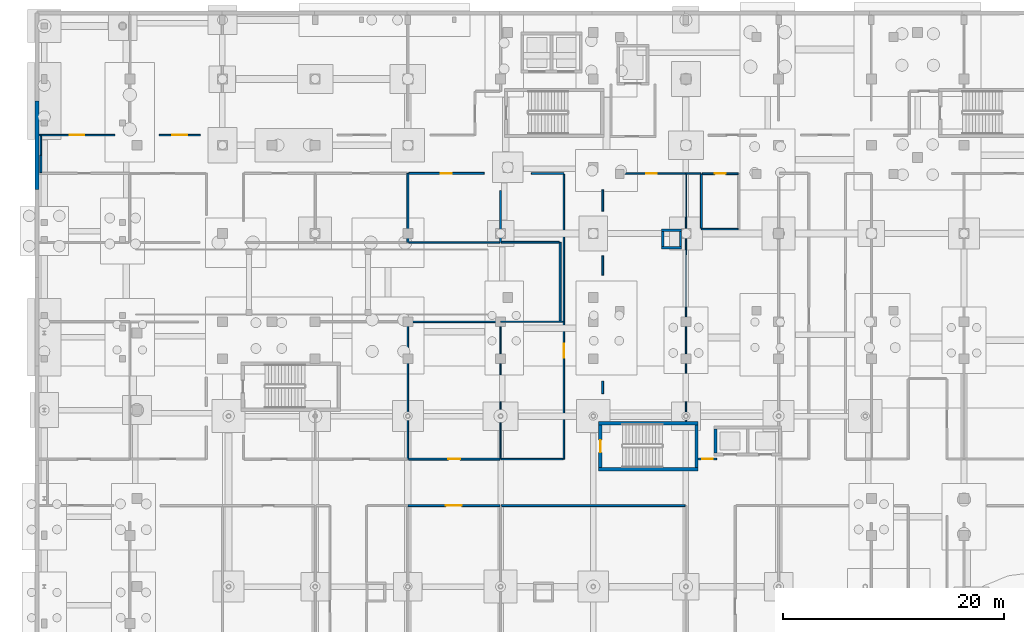
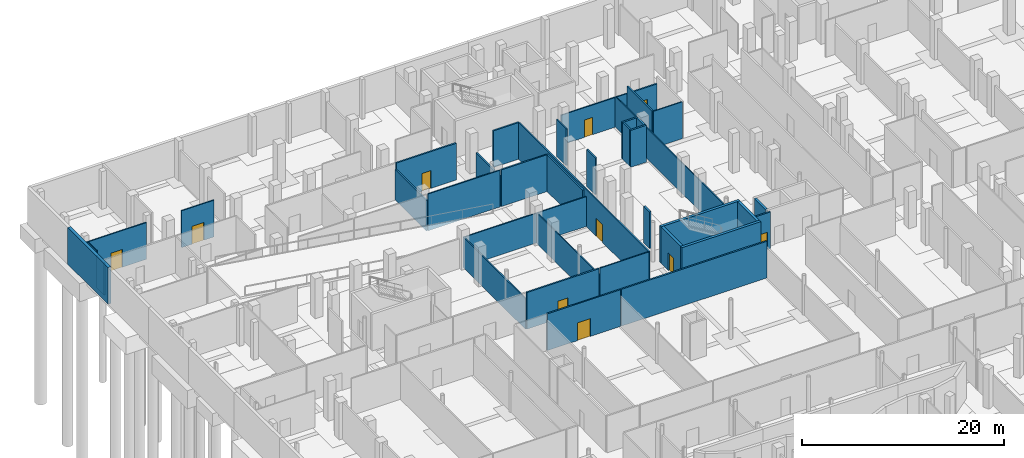
# One storey, part 31 of 45: 40 walls, 10 doors, 10 openings.
"""IFC4 building model written with IfcOpenShell, lengths in metres."""

from ifc_helpers import new_model, si_unit, direction, frame, frame_2d, origin, place, context, subcontext, project, spatial, rectangle, extrude, material, layer, layer_set, type_object, element, fill, save


model = new_model("IFC4")

# Units and contexts
model_context = context("Model", 3, precision=1e-05, world=origin(), true_north=direction((0.0, 1.0)))
body_context = subcontext(model_context, "Body", "Model", "MODEL_VIEW")
ifc_project = project(units=[si_unit("LENGTHUNIT", "METRE"), si_unit("AREAUNIT", "SQUARE_METRE"), si_unit("VOLUMEUNIT", "CUBIC_METRE"), si_unit("PLANEANGLEUNIT", "RADIAN"), si_unit("MASSUNIT", "GRAM", prefix="KILO")], contexts=[model_context])

# Site, building, storey
site_placement = place(None, origin())
site = spatial("IfcSite", under=ifc_project, at=site_placement, CompositionType="ELEMENT")
building_placement = place(site_placement, origin())
building = spatial("IfcBuilding", under=site, at=building_placement, Name="Selatvlak General Hospital", CompositionType="ELEMENT")
storey_placement = place(building_placement, frame((0.0, 0.0, -4.800048828125)))
storey = spatial("IfcBuildingStorey", under=building, at=storey_placement, Name="B1", CompositionType="ELEMENT", Elevation=-4.800048828125)

# Walls
ifc_material_1 = material(Name="Concrete C45/55", Category="concrete")
ifc_layer_1 = layer(ifc_material_1, 0.35009765625, Name="Concrete C45/55", Category="concrete")
ifc_layer_set_1 = layer_set([ifc_layer_1], Name="Concrete C45/55")
wall_type_1 = type_object("IfcWallType", Name="WALL-EW-05", PredefinedType="SHEAR", material=ifc_layer_set_1)
wall_1_placement = place(storey_placement, frame((6.0, 103.9990234375, 0.0), z_axis=(0.0, 0.0, 1.0), x_axis=(0.0, 1.0, 0.0)))
element("IfcWall", 1, at=wall_1_placement, inside=storey, type_object=wall_type_1, Name="B1 retaining wall 0007", PredefinedType="SHEAR", context=body_context, shape_type="SweptSolid", body=[
    extrude(rectangle(XDim=8.0, YDim=0.35009765625, at=frame_2d((4.0, 0.0))), origin(), (0.0, 0.0, 1.0), 4.449951171875),
])
ifc_material_2 = material(Name="Concrete C40/50", Category="concrete")
ifc_layer_2 = layer(ifc_material_2, 0.199951171875, Name="Concrete C40/50", Category="concrete")
ifc_layer_set_2 = layer_set([ifc_layer_2], Name="Concrete C40/50")
wall_type_2 = type_object("IfcWallType", Name="WALL-IW-02", PredefinedType="SOLIDWALL", material=ifc_layer_set_2)
wall_2_placement = place(storey_placement, frame((62.60009765625, 98.699951171875, 0.0), z_axis=(0.0, 0.0, 1.0), x_axis=(1.0, 0.0, 0.0)))
element("IfcWall", 2, at=wall_2_placement, inside=storey, type_object=wall_type_2, Name="Service riser 1 shaft wall B1 S", PredefinedType="SOLIDWALL", context=body_context, shape_type="SweptSolid", body=[
    extrude(rectangle(XDim=1.7998046875, YDim=0.199951171875, at=frame_2d((0.89990234375, 0.0))), origin(), (0.0, 0.0, 1.0), 4.449951171875),
])
wall_3_placement = place(storey_placement, frame((64.300048828125, 98.800048828125, 0.0), z_axis=(0.0, 0.0, 1.0), x_axis=(0.0, 1.0, 0.0)))
element("IfcWall", 3, at=wall_3_placement, inside=storey, type_object=wall_type_2, Name="Service riser 1 shaft wall B1 E", PredefinedType="SOLIDWALL", context=body_context, shape_type="SweptSolid", body=[
    extrude(rectangle(XDim=1.39990234375, YDim=0.199951171875, at=frame_2d((0.699951171875, 0.0))), origin(), (0.0, 0.0, 1.0), 4.449951171875),
])
wall_4_placement = place(storey_placement, frame((64.39990234375, 100.300048828125, 0.0), z_axis=(0.0, 0.0, 1.0), x_axis=(-1.0, 0.0, 0.0)))
element("IfcWall", 4, at=wall_4_placement, inside=storey, type_object=wall_type_2, Name="Service riser 1 shaft wall B1 N", PredefinedType="SOLIDWALL", context=body_context, shape_type="SweptSolid", body=[
    extrude(rectangle(XDim=1.7998046875, YDim=0.199951171875, at=frame_2d((0.89990234375, 0.0))), origin(), (0.0, 0.0, 1.0), 4.449951171875),
])
wall_5_placement = place(storey_placement, frame((62.699951171875, 100.199951171875, 0.0), z_axis=(0.0, 0.0, 1.0), x_axis=(0.0, -1.0, 0.0)))
element("IfcWall", 5, at=wall_5_placement, inside=storey, type_object=wall_type_2, Name="Service riser 1 shaft wall B1 W", PredefinedType="SOLIDWALL", context=body_context, shape_type="SweptSolid", body=[
    extrude(rectangle(XDim=1.39990234375, YDim=0.199951171875, at=frame_2d((0.699951171875, 0.0))), origin(), (0.0, 0.0, 1.0), 4.449951171875),
])
ifc_material_3 = material(Name="Acoustic gypsum stud partition")
ifc_layer_3 = layer(ifc_material_3, 0.179931640625, Name="Acoustic gypsum stud partition")
ifc_layer_set_3 = layer_set([ifc_layer_3], Name="Acoustic gypsum stud partition")
wall_type_3 = type_object("IfcWallType", Name="WALL-PT-01", PredefinedType="PARTITIONING", material=ifc_layer_set_3)
wall_6_placement = place(storey_placement, frame((66.199951171875, 100.464111328125, 0.0), z_axis=(0.0, 0.0, 1.0), x_axis=(0.0, 1.0, 0.0)))
element("IfcWall", 6, at=wall_6_placement, inside=storey, type_object=wall_type_3, Name="B1 clinical partition PT-B1-0003", PredefinedType="PARTITIONING", context=body_context, shape_type="SweptSolid", body=[
    extrude(rectangle(XDim=4.955810546875, YDim=0.179931640625, at=frame_2d((2.47802734375, 0.0))), origin(), (0.0, 0.0, 1.0), 4.449951171875),
])
wall_7_placement = place(storey_placement, frame((48.06298828125, 75.340087890625, 0.0), z_axis=(0.0, 0.0, 1.0), x_axis=(1.0, 0.0, 0.0)))
element("IfcWall", 7, at=wall_7_placement, inside=storey, type_object=wall_type_3, Name="B1 clinical partition PT-B1-0087", PredefinedType="PARTITIONING", context=body_context, shape_type="SweptSolid", body=[
    extrude(rectangle(XDim=16.657958984375, YDim=0.179931640625, at=frame_2d((8.3291015625, 0.0))), origin(), (0.0, 0.0, 1.0), 4.449951171875),
])
wall_8_placement = place(storey_placement, frame((6.340087890625, 107.10009765625, 0.0), z_axis=(0.0, 0.0, 1.0), x_axis=(0.0, -1.0, 0.0)))
element("IfcWall", 8, at=wall_8_placement, inside=storey, type_object=wall_type_3, Name="B1 clinical partition PT-B1-0222", PredefinedType="PARTITIONING", context=body_context, shape_type="SweptSolid", body=[
    extrude(rectangle(XDim=1.57421875, YDim=0.179931640625, at=frame_2d((0.787109375, 0.0))), origin(), (0.0, 0.0, 1.0), 3.905029296875),
])

# Wall, opening, door
wall_9_placement = place(storey_placement, frame((39.677978515625, 105.43994140625, 0.0), z_axis=(0.0, 0.0, 1.0), x_axis=(1.0, 0.0, 0.0)))
wall_9 = element("IfcWall", 9, at=wall_9_placement, inside=storey, type_object=wall_type_3, Name="B1 clinical partition PT-B1-0252", PredefinedType="PARTITIONING", context=body_context, shape_type="SweptSolid", body=[
    extrude(rectangle(XDim=6.8369140625, YDim=0.179931640625, at=frame_2d((3.41845703125, 0.0))), origin(), (0.0, 0.0, 1.0), 4.449951171875),
])
opening_1_placement = place(wall_9_placement, frame((2.9189453125, 0.0, 0.0)))
opening_1 = element("IfcOpeningElement", 10, at=opening_1_placement, cuts=wall_9, Name="Opening D-21", PredefinedType="OPENING", context=body_context, shape_type="SweptSolid", body=[
    extrude(rectangle(XDim=1.0, YDim=2.14990234375, at=frame_2d((0.5, 1.074951171875))), frame((0.0, 0.099853515625, 0.0), z_axis=(0.0, -1.0, 0.0), x_axis=(1.0, 0.0, 0.0)), (0.0, 0.0, 1.0), 0.199951171875),
])
ifc_material_4 = material(Name="Laboratory fire door")
door_type_1 = type_object("IfcDoorType", Name="DOOR-D-21", OperationType="NOTDEFINED", PredefinedType="DOOR", material=ifc_material_4)
door_1_placement = place(opening_1_placement, origin())
door_1 = element("IfcDoor", 11, at=door_1_placement, inside=storey, type_object=door_type_1, Name="B1 Medical Gas Manifold Plant 54 door", OperationType="SINGLE_SWING_RIGHT", OverallHeight=2.14990234375, OverallWidth=1.0, PredefinedType="DOOR", context=body_context, shape_type="SweptSolid", body=[
    extrude(rectangle(XDim=1.0, YDim=2.14990234375, at=frame_2d((0.5, 1.074951171875))), frame((0.0, 0.02490234375, 0.0), z_axis=(0.0, -1.0, 0.0), x_axis=(1.0, 0.0, 0.0)), (0.0, 0.0, 1.0), 0.050048828125),
])
fill(opening_1, door_1)

wall_10_placement = place(storey_placement, frame((47.944091796875, 79.56005859375, 0.0), z_axis=(0.0, 0.0, 1.0), x_axis=(-1.0, 0.0, 0.0)))
wall_10 = element("IfcWall", 12, at=wall_10_placement, inside=storey, type_object=wall_type_3, Name="B1 clinical partition PT-B1-0255", PredefinedType="PARTITIONING", context=body_context, shape_type="SweptSolid", body=[
    extrude(rectangle(XDim=8.281005859375, YDim=0.179931640625, at=frame_2d((4.140625, 0.0))), origin(), (0.0, 0.0, 1.0), 4.449951171875),
])
opening_2_placement = place(wall_10_placement, frame((3.591064453125, 0.0, 0.0)))
opening_2 = element("IfcOpeningElement", 13, at=opening_2_placement, cuts=wall_10, Name="Opening D-22", PredefinedType="OPENING", context=body_context, shape_type="SweptSolid", body=[
    extrude(rectangle(XDim=1.10009765625, YDim=2.14990234375, at=frame_2d((0.550048828125, 1.074951171875))), frame((0.0, 0.099853515625, 0.0), z_axis=(0.0, -1.0, 0.0), x_axis=(1.0, 0.0, 0.0)), (0.0, 0.0, 1.0), 0.199951171875),
])
ifc_material_5 = material(Name="Pharmacy security fire door")
door_type_2 = type_object("IfcDoorType", Name="DOOR-D-22", OperationType="NOTDEFINED", PredefinedType="DOOR", material=ifc_material_5)
door_2_placement = place(opening_2_placement, origin())
door_2 = element("IfcDoor", 14, at=door_2_placement, inside=storey, type_object=door_type_2, Name="B1 Mortuary Cold Suite 55 door", OperationType="SINGLE_SWING_LEFT", OverallHeight=2.14990234375, OverallWidth=1.10009765625, PredefinedType="DOOR", context=body_context, shape_type="SweptSolid", body=[
    extrude(rectangle(XDim=1.10009765625, YDim=2.14990234375, at=frame_2d((0.550048828125, 1.074951171875))), frame((0.0, 0.02490234375, 0.0), z_axis=(0.0, -1.0, 0.0), x_axis=(1.0, 0.0, 0.0)), (0.0, 0.0, 1.0), 0.050048828125),
])
fill(opening_2, door_2)

# Walls
wall_11_placement = place(storey_placement, frame((57.260009765625, 85.485107421875, 0.0), z_axis=(0.0, 0.0, 1.0), x_axis=(0.0, 1.0, 0.0)))
element("IfcWall", 15, at=wall_11_placement, inside=storey, type_object=wall_type_3, Name="B1 clinical partition PT-B1-0260", PredefinedType="PARTITIONING", context=body_context, shape_type="SweptSolid", body=[
    extrude(rectangle(XDim=1.1298828125, YDim=0.179931640625, at=frame_2d((0.56494140625, 0.0))), origin(), (0.0, 0.0, 1.0), 4.449951171875),
])
wall_12_placement = place(storey_placement, frame((53.39990234375, 92.055908203125, 0.0), z_axis=(0.0, 0.0, 1.0), x_axis=(0.0, 1.0, 0.0)))
element("IfcWall", 16, at=wall_12_placement, inside=storey, type_object=wall_type_3, Name="B1 clinical partition PT-B1-0265", PredefinedType="PARTITIONING", context=body_context, shape_type="SweptSolid", body=[
    extrude(rectangle(XDim=7.14404296875, YDim=0.179931640625, at=frame_2d((3.572021484375, 0.0))), origin(), (0.0, 0.0, 1.0), 4.449951171875),
])

# Wall, opening, door
ifc_layer_4 = layer(ifc_material_3, 0.1650390625, Name="Acoustic gypsum stud partition")
ifc_layer_set_4 = layer_set([ifc_layer_4], Name="Acoustic gypsum stud partition")
wall_type_4 = type_object("IfcWallType", Name="WALL-PT-02", PredefinedType="PARTITIONING", material=ifc_layer_set_4)
wall_13_placement = place(storey_placement, frame((66.285888671875, 105.419921875, 0.0), z_axis=(0.0, 0.0, 1.0), x_axis=(1.0, 0.0, 0.0)))
wall_13 = element("IfcWall", 17, at=wall_13_placement, inside=storey, type_object=wall_type_4, Name="B1 clinical partition PT-B1-0004", PredefinedType="PARTITIONING", context=body_context, shape_type="SweptSolid", body=[
    extrude(rectangle(XDim=3.235107421875, YDim=0.1650390625, at=frame_2d((1.61767578125, 0.0))), origin(), (0.0, 0.0, 1.0), 3.60009765625),
])
opening_3_placement = place(wall_13_placement, frame((1.116943359375, 0.0, 0.0)))
opening_3 = element("IfcOpeningElement", 18, at=opening_3_placement, cuts=wall_13, Name="Opening D-03", PredefinedType="OPENING", context=body_context, shape_type="SweptSolid", body=[
    extrude(rectangle(XDim=1.0, YDim=2.10009765625, at=frame_2d((0.5, 1.050048828125))), frame((0.0, 0.092529296875, 0.0), z_axis=(0.0, -1.0, 0.0), x_axis=(1.0, 0.0, 0.0)), (0.0, 0.0, 1.0), 0.18505859375),
])
ifc_material_6 = material(Name="Accessible WC door")
door_type_3 = type_object("IfcDoorType", Name="DOOR-D-03", OperationType="NOTDEFINED", PredefinedType="DOOR", material=ifc_material_6)
door_3_placement = place(opening_3_placement, origin())
door_3 = element("IfcDoor", 19, at=door_3_placement, inside=storey, type_object=door_type_3, Name="B1 Accessible WC door", OperationType="SINGLE_SWING_RIGHT", OverallHeight=2.10009765625, OverallWidth=1.0, PredefinedType="DOOR", context=body_context, shape_type="SweptSolid", body=[
    extrude(rectangle(XDim=1.0, YDim=2.10009765625, at=frame_2d((0.5, 1.050048828125))), frame((0.0, 0.02490234375, 0.0), z_axis=(0.0, -1.0, 0.0), x_axis=(1.0, 0.0, 0.0)), (0.0, 0.0, 1.0), 0.050048828125),
])
fill(opening_3, door_3)

wall_14_placement = place(storey_placement, frame((39.60009765625, 75.340087890625, 0.0), z_axis=(0.0, 0.0, 1.0), x_axis=(1.0, 0.0, 0.0)))
wall_14 = element("IfcWall", 20, at=wall_14_placement, inside=storey, type_object=wall_type_4, Name="B1 clinical partition PT-B1-0070", PredefinedType="PARTITIONING", context=body_context, shape_type="SweptSolid", body=[
    extrude(rectangle(XDim=8.3369140625, YDim=0.1650390625, at=frame_2d((4.16845703125, 0.0))), origin(), (0.0, 0.0, 1.0), 4.449951171875),
])
opening_4_placement = place(wall_14_placement, frame((3.443115234375, 0.0, 0.0)))
opening_4 = element("IfcOpeningElement", 21, at=opening_4_placement, cuts=wall_14, Name="Opening D-12", PredefinedType="OPENING", context=body_context, shape_type="SweptSolid", body=[
    extrude(rectangle(XDim=1.449951171875, YDim=2.14990234375, at=frame_2d((0.72509765625, 1.074951171875))), frame((0.0, 0.092529296875, 0.0), z_axis=(0.0, -1.0, 0.0), x_axis=(1.0, 0.0, 0.0)), (0.0, 0.0, 1.0), 0.18505859375),
])
ifc_material_7 = material(Name="Isolation anteroom door")
door_type_4 = type_object("IfcDoorType", Name="DOOR-D-12", OperationType="NOTDEFINED", PredefinedType="DOOR", material=ifc_material_7)
door_4_placement = place(opening_4_placement, origin())
door_4 = element("IfcDoor", 22, at=door_4_placement, inside=storey, type_object=door_type_4, Name="B1 Bulk Pharmacy Store 11 door", OperationType="SINGLE_SWING_LEFT", OverallHeight=2.14990234375, OverallWidth=1.449951171875, PredefinedType="DOOR", context=body_context, shape_type="SweptSolid", body=[
    extrude(rectangle(XDim=1.449951171875, YDim=2.14990234375, at=frame_2d((0.72509765625, 1.074951171875))), frame((0.0, 0.02490234375, 0.0), z_axis=(0.0, -1.0, 0.0), x_axis=(1.0, 0.0, 0.0)), (0.0, 0.0, 1.0), 0.050048828125),
])
fill(opening_4, door_4)

# Walls
wall_15_placement = place(storey_placement, frame((39.60009765625, 105.43994140625, 0.0), z_axis=(0.0, 0.0, 1.0), x_axis=(0.0, -1.0, 0.0)))
element("IfcWall", 23, at=wall_15_placement, inside=storey, type_object=wall_type_4, Name="B1 clinical partition PT-B1-0244", PredefinedType="PARTITIONING", context=body_context, shape_type="SweptSolid", body=[
    extrude(rectangle(XDim=6.239990234375, YDim=0.1650390625, at=frame_2d((3.1201171875, 0.0))), origin(), (0.0, 0.0, 1.0), 3.699951171875),
])
wall_16_placement = place(storey_placement, frame((48.0, 103.887939453125, 0.0), z_axis=(0.0, 0.0, 1.0), x_axis=(0.0, -1.0, 0.0)))
element("IfcWall", 24, at=wall_16_placement, inside=storey, type_object=wall_type_4, Name="B1 clinical partition PT-B1-0250", PredefinedType="PARTITIONING", context=body_context, shape_type="SweptSolid", body=[
    extrude(rectangle(XDim=4.68798828125, YDim=0.1650390625, at=frame_2d((2.343994140625, 0.0))), origin(), (0.0, 0.0, 1.0), 3.699951171875),
])
wall_17_placement = place(storey_placement, frame((57.260009765625, 96.235107421875, 0.0), z_axis=(0.0, 0.0, 1.0), x_axis=(0.0, 1.0, 0.0)))
element("IfcWall", 25, at=wall_17_placement, inside=storey, type_object=wall_type_4, Name="B1 clinical partition PT-B1-0256", PredefinedType="PARTITIONING", context=body_context, shape_type="SweptSolid", body=[
    extrude(rectangle(XDim=1.72998046875, YDim=0.1650390625, at=frame_2d((0.864990234375, 0.0))), origin(), (0.0, 0.0, 1.0), 4.449951171875),
])
wall_18_placement = place(storey_placement, frame((50.784912109375, 105.43994140625, 0.0), z_axis=(0.0, 0.0, 1.0), x_axis=(1.0, 0.0, 0.0)))
element("IfcWall", 26, at=wall_18_placement, inside=storey, type_object=wall_type_4, Name="B1 clinical partition PT-B1-0261", PredefinedType="PARTITIONING", context=body_context, shape_type="SweptSolid", body=[
    extrude(rectangle(XDim=2.955078125, YDim=0.1650390625, at=frame_2d((1.4775390625, 0.0))), origin(), (0.0, 0.0, 1.0), 4.449951171875),
])
wall_19_placement = place(storey_placement, frame((53.31396484375, 99.199951171875, 0.0), z_axis=(0.0, 0.0, 1.0), x_axis=(-1.0, 0.0, 0.0)))
element("IfcWall", 27, at=wall_19_placement, inside=storey, type_object=wall_type_4, Name="B1 clinical partition PT-B1-0266", PredefinedType="PARTITIONING", context=body_context, shape_type="SweptSolid", body=[
    extrude(rectangle(XDim=5.236083984375, YDim=0.1650390625, at=frame_2d((2.6181640625, 0.0))), origin(), (0.0, 0.0, 1.0), 4.449951171875),
])

# Wall, opening, door
wall_20_placement = place(storey_placement, frame((67.590087890625, 79.56005859375, 0.0), z_axis=(0.0, 0.0, 1.0), x_axis=(-1.0, 0.0, 0.0)))
wall_20 = element("IfcWall", 28, at=wall_20_placement, inside=storey, type_object=wall_type_4, Name="B1 clinical partition PT-B1-0268", PredefinedType="PARTITIONING", context=body_context, shape_type="SweptSolid", body=[
    extrude(rectangle(XDim=1.68310546875, YDim=0.1650390625, at=frame_2d((0.841552734375, 0.0))), origin(), (0.0, 0.0, 1.0), 4.449951171875),
])
opening_5_placement = place(wall_20_placement, frame((0.366943359375, 0.0, 0.0)))
opening_5 = element("IfcOpeningElement", 29, at=opening_5_placement, cuts=wall_20, Name="Opening D-02", PredefinedType="OPENING", context=body_context, shape_type="SweptSolid", body=[
    extrude(rectangle(XDim=0.949951171875, YDim=2.10009765625, at=frame_2d((0.47509765625, 1.050048828125))), frame((0.0, 0.092529296875, 0.0), z_axis=(0.0, -1.0, 0.0), x_axis=(1.0, 0.0, 0.0)), (0.0, 0.0, 1.0), 0.18505859375),
])
ifc_material_8 = material(Name="Moisture-resistant en-suite door")
door_type_5 = type_object("IfcDoorType", Name="DOOR-D-02", OperationType="NOTDEFINED", PredefinedType="DOOR", material=ifc_material_8)
door_5_placement = place(opening_5_placement, origin())
door_5 = element("IfcDoor", 30, at=door_5_placement, inside=storey, type_object=door_type_5, Name="B1 Two-Way Underground Loop Car Park Aisle 58 door", OperationType="SINGLE_SWING_RIGHT", OverallHeight=2.10009765625, OverallWidth=0.949951171875, PredefinedType="DOOR", context=body_context, shape_type="SweptSolid", body=[
    extrude(rectangle(XDim=0.949951171875, YDim=2.10009765625, at=frame_2d((0.47509765625, 1.050048828125))), frame((0.0, 0.02490234375, 0.0), z_axis=(0.0, -1.0, 0.0), x_axis=(1.0, 0.0, 0.0)), (0.0, 0.0, 1.0), 0.050048828125),
])
fill(opening_5, door_5)

# Wall
ifc_layer_5 = layer(ifc_material_3, 0.14990234375, Name="Acoustic gypsum stud partition")
ifc_layer_set_5 = layer_set([ifc_layer_5], Name="Acoustic gypsum stud partition")
wall_type_5 = type_object("IfcWallType", Name="WALL-PT-03", PredefinedType="PARTITIONING", material=ifc_layer_set_5)
wall_21_placement = place(storey_placement, frame((57.260009765625, 102.034912109375, 0.0), z_axis=(0.0, 0.0, 1.0), x_axis=(0.0, 1.0, 0.0)))
element("IfcWall", 31, at=wall_21_placement, inside=storey, type_object=wall_type_5, Name="B1 clinical partition PT-B1-0257", PredefinedType="PARTITIONING", context=body_context, shape_type="SweptSolid", body=[
    extrude(rectangle(XDim=1.93017578125, YDim=0.14990234375, at=frame_2d((0.965087890625, 0.0))), origin(), (0.0, 0.0, 1.0), 4.449951171875),
])

# Wall, opening, door
wall_22_placement = place(storey_placement, frame((53.739990234375, 105.361083984375, 0.0), z_axis=(0.0, 0.0, 1.0), x_axis=(0.0, -1.0, 0.0)))
wall_22 = element("IfcWall", 32, at=wall_22_placement, inside=storey, type_object=wall_type_5, Name="B1 clinical partition PT-B1-0262", PredefinedType="PARTITIONING", context=body_context, shape_type="SweptSolid", body=[
    extrude(rectangle(XDim=25.801025390625, YDim=0.14990234375, at=frame_2d((12.900390625, 0.0))), origin(), (0.0, 0.0, 1.0), 4.449951171875),
])
opening_6_placement = place(wall_22_placement, frame((15.3720703125, 0.0, 0.0)))
opening_6 = element("IfcOpeningElement", 33, at=opening_6_placement, cuts=wall_22, Name="Opening D-08", PredefinedType="OPENING", context=body_context, shape_type="SweptSolid", body=[
    extrude(rectangle(XDim=1.25, YDim=2.14990234375, at=frame_2d((0.625, 1.074951171875))), frame((0.0, 0.0849609375, 0.0), z_axis=(0.0, -1.0, 0.0), x_axis=(1.0, 0.0, 0.0)), (0.0, 0.0, 1.0), 0.169921875),
])
ifc_material_9 = material(Name="Diagnostic treatment door")
door_type_6 = type_object("IfcDoorType", Name="DOOR-D-08", OperationType="NOTDEFINED", PredefinedType="DOOR", material=ifc_material_9)
door_6_placement = place(opening_6_placement, origin())
door_6 = element("IfcDoor", 34, at=door_6_placement, inside=storey, type_object=door_type_6, Name="B1 Central Sterile Supply Department 57 door", OperationType="SINGLE_SWING_LEFT", OverallHeight=2.14990234375, OverallWidth=1.25, PredefinedType="DOOR", context=body_context, shape_type="SweptSolid", body=[
    extrude(rectangle(XDim=1.25, YDim=2.14990234375, at=frame_2d((0.625, 1.074951171875))), frame((0.0, 0.02490234375, 0.0), z_axis=(0.0, -1.0, 0.0), x_axis=(1.0, 0.0, 0.0)), (0.0, 0.0, 1.0), 0.050048828125),
])
fill(opening_6, door_6)

# Walls
ifc_material_10 = material(Name="Moisture-resistant clinical partition")
ifc_layer_6 = layer(ifc_material_10, 0.135009765625, Name="Moisture-resistant clinical partition")
ifc_layer_set_6 = layer_set([ifc_layer_6], Name="Moisture-resistant clinical partition")
wall_type_6 = type_object("IfcWallType", Name="WALL-PT-04", PredefinedType="PARTITIONING", material=ifc_layer_set_6)
wall_23_placement = place(storey_placement, frame((69.52099609375, 100.39990234375, 0.0), z_axis=(0.0, 0.0, 1.0), x_axis=(-1.0, 0.0, 0.0)))
element("IfcWall", 35, at=wall_23_placement, inside=storey, type_object=wall_type_6, Name="B1 clinical partition PT-B1-0002", PredefinedType="PARTITIONING", context=body_context, shape_type="SweptSolid", body=[
    extrude(rectangle(XDim=3.321044921875, YDim=0.135009765625, at=frame_2d((1.66064453125, 0.0))), origin(), (0.0, 0.0, 1.0), 4.449951171875),
])
wall_24_placement = place(storey_placement, frame((39.60009765625, 91.9208984375, 0.0), z_axis=(0.0, 0.0, 1.0), x_axis=(0.0, -1.0, 0.0)))
element("IfcWall", 36, at=wall_24_placement, inside=storey, type_object=wall_type_6, Name="B1 clinical partition PT-B1-0248", PredefinedType="PARTITIONING", context=body_context, shape_type="SweptSolid", body=[
    extrude(rectangle(XDim=12.36083984375, YDim=0.135009765625, at=frame_2d((6.180419921875, 0.0))), origin(), (0.0, 0.0, 1.0), 3.699951171875),
])
wall_25_placement = place(storey_placement, frame((47.922119140625, 99.199951171875, 0.0), z_axis=(0.0, 0.0, 1.0), x_axis=(-1.0, 0.0, 0.0)))
element("IfcWall", 37, at=wall_25_placement, inside=storey, type_object=wall_type_6, Name="B1 clinical partition PT-B1-0251", PredefinedType="PARTITIONING", context=body_context, shape_type="SweptSolid", body=[
    extrude(rectangle(XDim=8.244140625, YDim=0.135009765625, at=frame_2d((4.1220703125, 0.0))), origin(), (0.0, 0.0, 1.0), 4.449951171875),
])
wall_26_placement = place(storey_placement, frame((39.60009765625, 92.0, 0.0), z_axis=(0.0, 0.0, 1.0), x_axis=(1.0, 0.0, 0.0)))
element("IfcWall", 38, at=wall_26_placement, inside=storey, type_object=wall_type_6, Name="B1 clinical partition PT-B1-0253", PredefinedType="PARTITIONING", context=body_context, shape_type="SweptSolid", body=[
    extrude(rectangle(XDim=8.39990234375, YDim=0.135009765625, at=frame_2d((4.199951171875, 0.0))), origin(), (0.0, 0.0, 1.0), 3.60009765625),
])

# Wall, opening, door
wall_27_placement = place(storey_placement, frame((58.534912109375, 105.43994140625, 0.0), z_axis=(0.0, 0.0, 1.0), x_axis=(1.0, 0.0, 0.0)))
wall_27 = element("IfcWall", 39, at=wall_27_placement, inside=storey, type_object=wall_type_6, Name="B1 clinical partition PT-B1-0258", PredefinedType="PARTITIONING", context=body_context, shape_type="SweptSolid", body=[
    extrude(rectangle(XDim=6.26513671875, YDim=0.135009765625, at=frame_2d((3.132568359375, 0.0))), origin(), (0.0, 0.0, 1.0), 3.60009765625),
])
opening_7_placement = place(wall_27_placement, frame((2.657958984375, 0.0, 0.0)))
opening_7 = element("IfcOpeningElement", 40, at=opening_7_placement, cuts=wall_27, Name="Opening D-02", PredefinedType="OPENING", context=body_context, shape_type="SweptSolid", body=[
    extrude(rectangle(XDim=0.949951171875, YDim=2.10009765625, at=frame_2d((0.47509765625, 1.050048828125))), frame((0.0, 0.077392578125, 0.0), z_axis=(0.0, -1.0, 0.0), x_axis=(1.0, 0.0, 0.0)), (0.0, 0.0, 1.0), 0.155029296875),
])
door_7_placement = place(opening_7_placement, origin())
door_7 = element("IfcDoor", 41, at=door_7_placement, inside=storey, type_object=door_type_5, Name="B1 Hospital Linen Laundry 56 door", OperationType="SINGLE_SWING_RIGHT", OverallHeight=2.10009765625, OverallWidth=0.949951171875, PredefinedType="DOOR", context=body_context, shape_type="SweptSolid", body=[
    extrude(rectangle(XDim=0.949951171875, YDim=2.10009765625, at=frame_2d((0.47509765625, 1.050048828125))), frame((0.0, 0.02490234375, 0.0), z_axis=(0.0, -1.0, 0.0), x_axis=(1.0, 0.0, 0.0)), (0.0, 0.0, 1.0), 0.050048828125),
])
fill(opening_7, door_7)

# Walls
wall_28_placement = place(storey_placement, frame((53.6689453125, 79.56005859375, 0.0), z_axis=(0.0, 0.0, 1.0), x_axis=(-1.0, 0.0, 0.0)))
element("IfcWall", 42, at=wall_28_placement, inside=storey, type_object=wall_type_6, Name="B1 clinical partition PT-B1-0263", PredefinedType="PARTITIONING", context=body_context, shape_type="SweptSolid", body=[
    extrude(rectangle(XDim=5.613037109375, YDim=0.135009765625, at=frame_2d((2.806640625, 0.0))), origin(), (0.0, 0.0, 1.0), 4.449951171875),
])
wall_29_placement = place(storey_placement, frame((64.800048828125, 105.43994140625, 0.0), z_axis=(0.0, 0.0, 1.0), x_axis=(1.0, 0.0, 0.0)))
element("IfcWall", 43, at=wall_29_placement, inside=storey, type_object=wall_type_6, Name="B1 clinical partition PT-B1-0269", PredefinedType="PARTITIONING", context=body_context, shape_type="SweptSolid", body=[
    extrude(rectangle(XDim=1.320068359375, YDim=0.135009765625, at=frame_2d((0.66015625, 0.0))), origin(), (0.0, 0.0, 1.0), 3.60009765625),
])

# Wall, opening, door
wall_30_placement = place(storey_placement, frame((13.0390625, 108.909912109375, 0.0), z_axis=(0.0, 0.0, 1.0), x_axis=(-1.0, 0.0, 0.0)))
wall_30 = element("IfcWall", 44, at=wall_30_placement, inside=storey, type_object=wall_type_6, Name="B1 clinical partition PT-B1-0323", PredefinedType="PARTITIONING", context=body_context, shape_type="SweptSolid", body=[
    extrude(rectangle(XDim=6.866943359375, YDim=0.135009765625, at=frame_2d((3.43359375, 0.0))), origin(), (0.0, 0.0, 1.0), 4.449951171875),
])
opening_8_placement = place(wall_30_placement, frame((2.783935546875, 0.0, 0.0)))
opening_8 = element("IfcOpeningElement", 45, at=opening_8_placement, cuts=wall_30, Name="Opening D-09", PredefinedType="OPENING", context=body_context, shape_type="SweptSolid", body=[
    extrude(rectangle(XDim=1.300048828125, YDim=2.14990234375, at=frame_2d((0.64990234375, 1.074951171875))), frame((0.0, 0.077392578125, 0.0), z_axis=(0.0, -1.0, 0.0), x_axis=(1.0, 0.0, 0.0)), (0.0, 0.0, 1.0), 0.155029296875),
])
ifc_material_11 = material(Name="Outpatient procedure door")
door_type_7 = type_object("IfcDoorType", Name="DOOR-D-09", OperationType="NOTDEFINED", PredefinedType="DOOR", material=ifc_material_11)
door_8_placement = place(opening_8_placement, origin())
door_8 = element("IfcDoor", 46, at=door_8_placement, inside=storey, type_object=door_type_7, Name="B1 Hospital Dietary Kitchen 74 door", OperationType="SINGLE_SWING_RIGHT", OverallHeight=2.14990234375, OverallWidth=1.300048828125, PredefinedType="DOOR", context=body_context, shape_type="SweptSolid", body=[
    extrude(rectangle(XDim=1.300048828125, YDim=2.14990234375, at=frame_2d((0.64990234375, 1.074951171875))), frame((0.0, 0.02490234375, 0.0), z_axis=(0.0, -1.0, 0.0), x_axis=(1.0, 0.0, 0.0)), (0.0, 0.0, 1.0), 0.050048828125),
])
fill(opening_8, door_8)

wall_31_placement = place(storey_placement, frame((20.7890625, 108.909912109375, 0.0), z_axis=(0.0, 0.0, 1.0), x_axis=(-1.0, 0.0, 0.0)))
wall_31 = element("IfcWall", 47, at=wall_31_placement, inside=storey, type_object=wall_type_6, Name="B1 clinical partition PT-B1-0326", PredefinedType="PARTITIONING", context=body_context, shape_type="SweptSolid", body=[
    extrude(rectangle(XDim=3.72802734375, YDim=0.135009765625, at=frame_2d((1.864013671875, 0.0))), origin(), (0.0, 0.0, 1.0), 4.449951171875),
])
opening_9_placement = place(wall_31_placement, frame((1.18896484375, 0.0, 0.0)))
opening_9 = element("IfcOpeningElement", 48, at=opening_9_placement, cuts=wall_31, Name="Opening D-10", PredefinedType="OPENING", context=body_context, shape_type="SweptSolid", body=[
    extrude(rectangle(XDim=1.35009765625, YDim=2.14990234375, at=frame_2d((0.675048828125, 1.074951171875))), frame((0.0, 0.077392578125, 0.0), z_axis=(0.0, -1.0, 0.0), x_axis=(1.0, 0.0, 0.0)), (0.0, 0.0, 1.0), 0.155029296875),
])
ifc_material_12 = material(Name="Single patient bed door")
door_type_8 = type_object("IfcDoorType", Name="DOOR-D-10", OperationType="NOTDEFINED", PredefinedType="DOOR", material=ifc_material_12)
door_9_placement = place(opening_9_placement, origin())
door_9 = element("IfcDoor", 49, at=door_9_placement, inside=storey, type_object=door_type_8, Name="B1 Bulk Pharmacy Store 75 door", OperationType="SINGLE_SWING_LEFT", OverallHeight=2.14990234375, OverallWidth=1.35009765625, PredefinedType="DOOR", context=body_context, shape_type="SweptSolid", body=[
    extrude(rectangle(XDim=1.35009765625, YDim=2.14990234375, at=frame_2d((0.675048828125, 1.074951171875))), frame((0.0, 0.02490234375, 0.0), z_axis=(0.0, -1.0, 0.0), x_axis=(1.0, 0.0, 0.0)), (0.0, 0.0, 1.0), 0.050048828125),
])
fill(opening_9, door_9)

# Walls
ifc_layer_7 = layer(ifc_material_10, 0.1201171875, Name="Moisture-resistant clinical partition")
ifc_layer_set_7 = layer_set([ifc_layer_7], Name="Moisture-resistant clinical partition")
wall_type_7 = type_object("IfcWallType", Name="WALL-PT-05", PredefinedType="PARTITIONING", material=ifc_layer_set_7)
wall_32_placement = place(storey_placement, frame((48.0, 91.93603515625, 0.0), z_axis=(0.0, 0.0, 1.0), x_axis=(0.0, -1.0, 0.0)))
element("IfcWall", 50, at=wall_32_placement, inside=storey, type_object=wall_type_7, Name="B1 clinical partition PT-B1-0254", PredefinedType="PARTITIONING", context=body_context, shape_type="SweptSolid", body=[
    extrude(rectangle(XDim=12.3759765625, YDim=0.1201171875, at=frame_2d((6.18798828125, 0.0))), origin(), (0.0, 0.0, 1.0), 3.699951171875),
])
wall_33_placement = place(storey_placement, frame((64.800048828125, 105.3759765625, 0.0), z_axis=(0.0, 0.0, 1.0), x_axis=(0.0, -1.0, 0.0)))
element("IfcWall", 51, at=wall_33_placement, inside=storey, type_object=wall_type_7, Name="B1 clinical partition PT-B1-0259", PredefinedType="PARTITIONING", context=body_context, shape_type="SweptSolid", body=[
    extrude(rectangle(XDim=22.428955078125, YDim=0.1201171875, at=frame_2d((11.21435546875, 0.0))), origin(), (0.0, 0.0, 1.0), 3.699951171875),
])
wall_34_placement = place(storey_placement, frame((48.0, 92.0, 0.0), z_axis=(0.0, 0.0, 1.0), x_axis=(1.0, 0.0, 0.0)))
element("IfcWall", 52, at=wall_34_placement, inside=storey, type_object=wall_type_7, Name="B1 clinical partition PT-B1-0264", PredefinedType="PARTITIONING", context=body_context, shape_type="SweptSolid", body=[
    extrude(rectangle(XDim=5.6689453125, YDim=0.1201171875, at=frame_2d((2.83447265625, 0.0))), origin(), (0.0, 0.0, 1.0), 3.60009765625),
])
wall_35_placement = place(storey_placement, frame((6.340087890625, 108.845947265625, 0.0), z_axis=(0.0, 0.0, 1.0), x_axis=(0.0, -1.0, 0.0)))
element("IfcWall", 53, at=wall_35_placement, inside=storey, type_object=wall_type_7, Name="B1 clinical partition PT-B1-0324", PredefinedType="PARTITIONING", context=body_context, shape_type="SweptSolid", body=[
    extrude(rectangle(XDim=1.745849609375, YDim=0.1201171875, at=frame_2d((0.873046875, 0.0))), origin(), (0.0, 0.0, 1.0), 4.449951171875),
])
ifc_layer_8 = layer(ifc_material_1, 0.300048828125, Name="Concrete C45/55", Category="concrete")
ifc_layer_set_8 = layer_set([ifc_layer_8], Name="Concrete C45/55")
wall_type_8 = type_object("IfcWallType", Name="WALL-SW-02", PredefinedType="SHEAR", material=ifc_layer_set_8)
wall_36_placement = place(storey_placement, frame((56.889892578125, 78.639892578125, 0.0), z_axis=(0.0, 0.0, 1.0), x_axis=(1.0, 0.0, 0.0)))
element("IfcWall", 54, at=wall_36_placement, inside=storey, type_object=wall_type_8, Name="ST-05 core shear wall B1 S", PredefinedType="SHEAR", context=body_context, shape_type="SweptSolid", body=[
    extrude(rectangle(XDim=9.02001953125, YDim=0.300048828125, at=frame_2d((4.510009765625, 0.0))), origin(), (0.0, 0.0, 1.0), 4.449951171875),
])
wall_37_placement = place(storey_placement, frame((65.760009765625, 78.7900390625, 0.0), z_axis=(0.0, 0.0, 1.0), x_axis=(0.0, 1.0, 0.0)))
element("IfcWall", 55, at=wall_37_placement, inside=storey, type_object=wall_type_8, Name="ST-05 core shear wall B1 E", PredefinedType="SHEAR", context=body_context, shape_type="SweptSolid", body=[
    extrude(rectangle(XDim=3.85986328125, YDim=0.300048828125, at=frame_2d((1.929931640625, 0.0))), origin(), (0.0, 0.0, 1.0), 4.449951171875),
])
wall_38_placement = place(storey_placement, frame((65.909912109375, 82.800048828125, 0.0), z_axis=(0.0, 0.0, 1.0), x_axis=(-1.0, 0.0, 0.0)))
element("IfcWall", 56, at=wall_38_placement, inside=storey, type_object=wall_type_8, Name="ST-05 core shear wall B1 N", PredefinedType="SHEAR", context=body_context, shape_type="SweptSolid", body=[
    extrude(rectangle(XDim=9.02001953125, YDim=0.300048828125, at=frame_2d((4.510009765625, 0.0))), origin(), (0.0, 0.0, 1.0), 4.449951171875),
])

# Wall, opening, door
wall_39_placement = place(storey_placement, frame((57.0400390625, 82.64990234375, 0.0), z_axis=(0.0, 0.0, 1.0), x_axis=(0.0, -1.0, 0.0)))
wall_39 = element("IfcWall", 57, at=wall_39_placement, inside=storey, type_object=wall_type_8, Name="ST-05 core shear wall B1 W", PredefinedType="SHEAR", context=body_context, shape_type="SweptSolid", body=[
    extrude(rectangle(XDim=3.85986328125, YDim=0.300048828125, at=frame_2d((1.929931640625, 0.0))), origin(), (0.0, 0.0, 1.0), 4.449951171875),
])
opening_10_placement = place(wall_39_placement, frame((1.3798828125, 0.0, 0.0)))
opening_10 = element("IfcOpeningElement", 58, at=opening_10_placement, cuts=wall_39, Name="Opening D-05", PredefinedType="OPENING", context=body_context, shape_type="SweptSolid", body=[
    extrude(rectangle(XDim=1.10009765625, YDim=2.14990234375, at=frame_2d((0.550048828125, 1.074951171875))), frame((0.0, 0.159912109375, 0.0), z_axis=(0.0, -1.0, 0.0), x_axis=(1.0, 0.0, 0.0)), (0.0, 0.0, 1.0), 0.320068359375),
])
ifc_material_13 = material(Name="Protected stair fire door")
door_type_9 = type_object("IfcDoorType", Name="DOOR-D-05", OperationType="NOTDEFINED", PredefinedType="DOOR", material=ifc_material_13)
door_10_placement = place(opening_10_placement, origin())
door_10 = element("IfcDoor", 59, at=door_10_placement, inside=storey, type_object=door_type_9, Name="ST-05 protected stair door on B1", OperationType="SINGLE_SWING_LEFT", OverallHeight=2.14990234375, OverallWidth=1.10009765625, PredefinedType="DOOR", context=body_context, shape_type="SweptSolid", body=[
    extrude(rectangle(XDim=1.10009765625, YDim=2.14990234375, at=frame_2d((0.550048828125, 1.074951171875))), frame((0.0, 0.02490234375, 0.0), z_axis=(0.0, -1.0, 0.0), x_axis=(1.0, 0.0, 0.0)), (0.0, 0.0, 1.0), 0.050048828125),
])
fill(opening_10, door_10)

# Wall
ifc_layer_9 = layer(ifc_material_2, 0.25, Name="Concrete C40/50", Category="concrete")
ifc_layer_set_9 = layer_set([ifc_layer_9], Name="Concrete C40/50")
wall_type_9 = type_object("IfcWallType", Name="WALL-SW-03", PredefinedType="SHEAR", material=ifc_layer_set_9)
wall_40_placement = place(storey_placement, frame((67.47509765625, 82.300048828125, 0.0), z_axis=(0.0, 0.0, 1.0), x_axis=(0.0, -1.0, 0.0)))
element("IfcWall", 60, at=wall_40_placement, inside=storey, type_object=wall_type_9, Name="Lift LP-01-LP-02 shaft wall B1 W", PredefinedType="SHEAR", context=body_context, shape_type="SweptSolid", body=[
    extrude(rectangle(XDim=2.199951171875, YDim=0.25, at=frame_2d((1.10009765625, 0.0))), origin(), (0.0, 0.0, 1.0), 4.449951171875),
])

save(model, "model.ifc")
